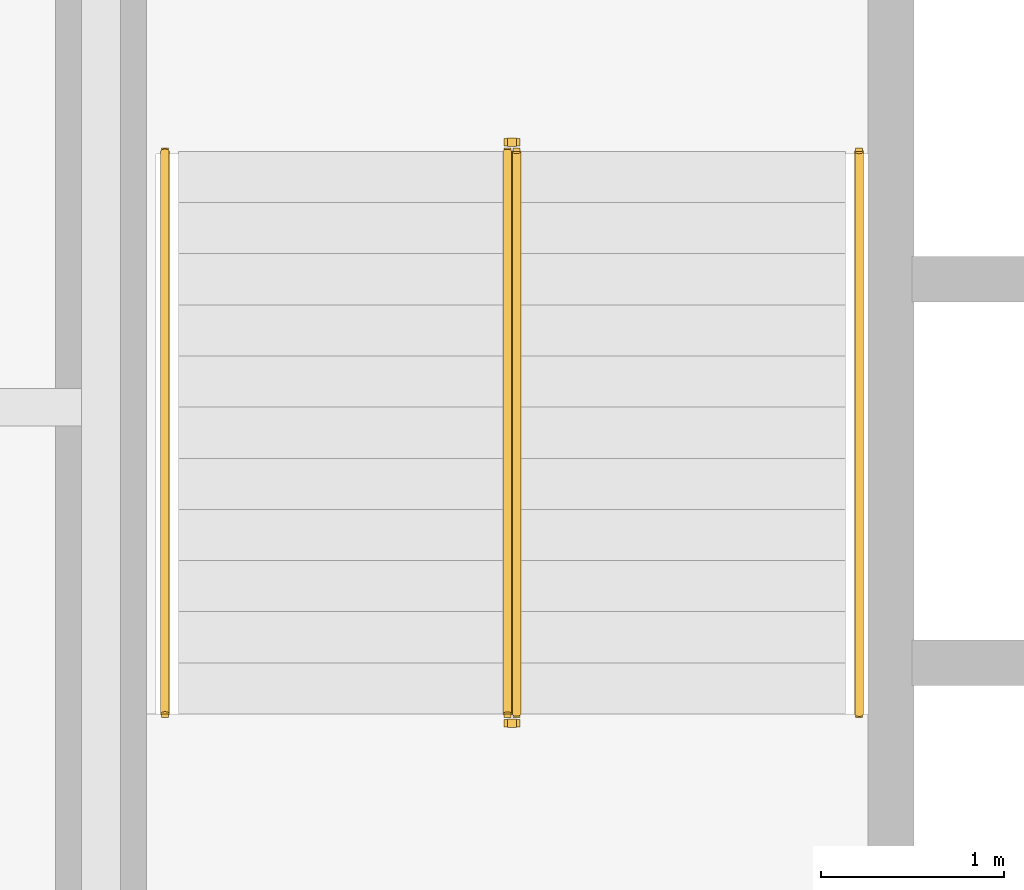
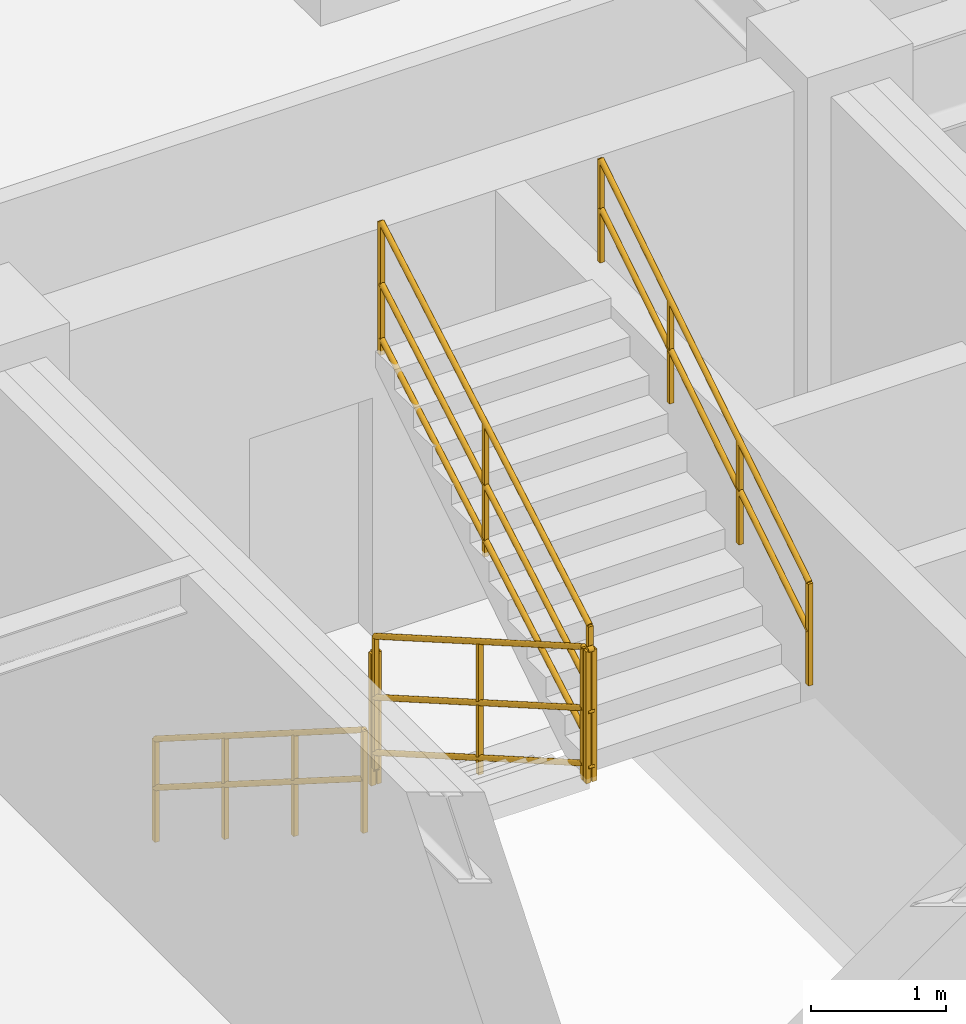
# One storey, part 11 of 11: 6 railings.
"""IFC4 building model written with IfcOpenShell, lengths in metres."""

import ifcopenshell
import ifcopenshell.guid

model = None  # the IFC model being written
_history = None  # IfcOwnerHistory: only IFC2X3 demands one
_inside = {}  # id of a spatial element -> (the spatial element, [elements in it])
_under = {}  # id of a project, library or spatial element -> (it, [spatial elements below it])
_declared = {}  # id of a project -> (the project, [libraries it declares])
_typed = {}  # id of a type object -> (the type object, [elements of that type])
_made_of = {}  # id of a material, layer set ... -> (it, [elements and type objects made of it])


def new_model(schema):
    """Start an empty IFC model of exactly this schema.

    Asked for "IFC4X3", IfcOpenShell would pick the latest addendum, in which some entities
    have other attributes; the version numbers below select the first issue.
    IFC2X3 requires an IfcOwnerHistory on every rooted entity: one is made here for all.
    """
    global model, _history
    if schema == "IFC4X3":
        model = ifcopenshell.file(schema_version=(4, 3, 0, 0))
    else:
        model = ifcopenshell.file(schema=schema)
    _inside.clear()
    _under.clear()
    _declared.clear()
    _typed.clear()
    _made_of.clear()
    _history = None
    if model.schema == "IFC2X3":
        org = make("IfcOrganization", Name="unknown")
        user = make(
            "IfcPersonAndOrganization",
            ThePerson=make("IfcPerson", FamilyName="unknown"),
            TheOrganization=org,
        )
        app = make(
            "IfcApplication",
            ApplicationDeveloper=org,
            Version="unknown",
            ApplicationFullName="unknown",
            ApplicationIdentifier="unknown",
        )
        _history = make(
            "IfcOwnerHistory",
            OwningUser=user,
            OwningApplication=app,
            ChangeAction="ADDED",
            CreationDate=0,
        )
    return model


def make(cls, **values):
    """One entity of the class cls with the attributes given. An attribute that is None is left unset."""
    return model.create_entity(
        cls, **{name: value for name, value in values.items() if value is not None}
    )


def entity(cls, *values):
    """Any entity or typed value of the class cls, its attributes in the order of the schema. None: left unset."""
    e = model.create_entity(cls)
    for i, value in enumerate(values):
        if value is not None:
            e[i] = value
    return e


def rooted(cls, **values):
    """An entity with a GlobalId (a new one), such as an element, a storey or a relation."""
    return make(cls, GlobalId=ifcopenshell.guid.new(), OwnerHistory=_history, **values)


def si_unit(unit_type, name, prefix=None):
    """IfcSIUnit, for example si_unit("LENGTHUNIT", "METRE", prefix="MILLI")."""
    return make("IfcSIUnit", UnitType=unit_type, Prefix=prefix, Name=name)


def converted_unit(unit_type, name, factor, base, dimensions=None, offset=None):
    """IfcConversionBasedUnit, such as the inch: factor (a typed value) times the base unit."""
    return make(
        "IfcConversionBasedUnit"
        if offset is None
        else "IfcConversionBasedUnitWithOffset",
        ConversionOffset=offset,
        Dimensions=None
        if dimensions is None
        else entity("IfcDimensionalExponents", *dimensions),
        UnitType=unit_type,
        Name=name,
        ConversionFactor=make(
            "IfcMeasureWithUnit", ValueComponent=factor, UnitComponent=base
        ),
    )


def assignment(units):
    """IfcUnitAssignment: the units of a project."""
    return None if units is None else make("IfcUnitAssignment", Units=units)


def point(xyz):
    """IfcCartesianPoint."""
    return None if xyz is None else make("IfcCartesianPoint", Coordinates=xyz)


def direction(xyz):
    """IfcDirection."""
    return None if xyz is None else make("IfcDirection", DirectionRatios=xyz)


def frame(location, z_axis=None, x_axis=None):
    """IfcAxis2Placement3D, a coordinate frame: its origin and axes. An axis left out is left unset."""
    return make(
        "IfcAxis2Placement3D",
        Location=point(location),
        Axis=direction(z_axis),
        RefDirection=direction(x_axis),
    )


def frame_2d(location, x_axis=None):
    """IfcAxis2Placement2D, a coordinate frame in the plane: its origin and x axis."""
    return make(
        "IfcAxis2Placement2D", Location=point(location), RefDirection=direction(x_axis)
    )


def origin_with_axes():
    """The frame at (0, 0, 0) with the z axis (0, 0, 1) and the x axis (1, 0, 0) written out."""
    return frame((0.0, 0.0, 0.0), z_axis=(0.0, 0.0, 1.0), x_axis=(1.0, 0.0, 0.0))


def origin_2d_with_axis():
    """The frame at (0, 0) in the plane with the x axis (1, 0) written out."""
    return frame_2d((0.0, 0.0), x_axis=(1.0, 0.0))


def place(relative_to, where):
    """IfcLocalPlacement: puts the frame where relative to a parent placement (None: the world)."""
    return make(
        "IfcLocalPlacement", PlacementRelTo=relative_to, RelativePlacement=where
    )


def context(
    kind, dimensions, precision=None, world=None, true_north=None, identifier=None
):
    """IfcGeometricRepresentationContext, for example the 3D "Model" context."""
    return make(
        "IfcGeometricRepresentationContext",
        ContextIdentifier=identifier,
        ContextType=kind,
        CoordinateSpaceDimension=dimensions,
        Precision=precision,
        WorldCoordinateSystem=world,
        TrueNorth=true_north,
    )


def subcontext(parent, identifier, kind, view, scale=None):
    """IfcGeometricRepresentationSubContext, for example "Body" below "Model"."""
    return make(
        "IfcGeometricRepresentationSubContext",
        ContextIdentifier=identifier,
        ContextType=kind,
        ParentContext=parent,
        TargetScale=scale,
        TargetView=view,
    )


def project(units=None, contexts=None):
    """IfcProject with its units and contexts."""
    return rooted(
        "IfcProject",
        Name="project",
        RepresentationContexts=contexts,
        UnitsInContext=assignment(units),
    )


def spatial(cls, under=None, at=None, **own):
    """A site, building, storey or space (cls), placed at a placement, below another one or the project."""
    s = rooted(cls, ObjectPlacement=at, **own)
    if under is not None:
        _under.setdefault(under.id(), (under, []))[1].append(s)
    return s


def profile(cls, at=None, kind="AREA", **sizes):
    """A parametric profile (cls). Its sizes go by their IFC names, for example OverallWidth=200.0."""
    return make(cls, ProfileType=kind, Position=at, **sizes)


def rectangle(**sizes):
    """IfcRectangleProfileDef."""
    return profile("IfcRectangleProfileDef", **sizes)


def circle(**sizes):
    """IfcCircleProfileDef."""
    return profile("IfcCircleProfileDef", **sizes)


def extrude(swept, where, along, depth):
    """IfcExtrudedAreaSolid: the profile swept, set in the frame where, extruded along a direction by depth."""
    return make(
        "IfcExtrudedAreaSolid",
        SweptArea=swept,
        Position=where,
        ExtrudedDirection=direction(along),
        Depth=depth,
    )


def shape(context_of_items, identifier, shape_type, items):
    """IfcShapeRepresentation: the items that make up one representation, for example the "Body"."""
    return make(
        "IfcShapeRepresentation",
        ContextOfItems=context_of_items,
        RepresentationIdentifier=identifier,
        RepresentationType=shape_type,
        Items=items,
    )


def material(Name=None, Category=None):
    """IfcMaterial."""
    return make("IfcMaterial", Name=Name, Category=Category)


def made_of(thing, what):
    """Note that an element or type object is made of a material, layer set ...; save() writes the relation."""
    if what is not None:
        _made_of.setdefault(what.id(), (what, []))[1].append(thing)
    return thing


def type_object(cls, material=None, **own):
    """A type object (cls), such as IfcWallType, which elements share."""
    return made_of(rooted(cls, **own), material)


def element(
    cls,
    number,
    at=None,
    inside=None,
    cuts=None,
    type_object=None,
    material=None,
    context=None,
    identifier="Body",
    shape_type=None,
    held_by="IfcProductDefinitionShape",
    body=None,
    shapes=None,
    **own,
):
    """One element of the class cls, such as IfcWall. Its Tag is "e" and its number.

    at: its placement. inside: the storey or other place that contains it. cuts: it is an
    opening in that element (IfcRelVoidsElement). A single representation is given by context,
    identifier, shape_type and body (its items); several are given by shapes. held_by: the class
    of the entity that holds the representations. save() writes the other relations.
    """
    e = rooted(cls, Tag="e%d" % number, ObjectPlacement=at, **own)
    if body is not None:
        shapes = [shape(context, identifier, shape_type, body)]
    if shapes is not None:
        e.Representation = make(held_by, Representations=shapes)
    if inside is not None:
        _inside.setdefault(inside.id(), (inside, []))[1].append(e)
    if cuts is not None:
        rooted(
            "IfcRelVoidsElement", RelatingBuildingElement=cuts, RelatedOpeningElement=e
        )
    if type_object is not None:
        _typed.setdefault(type_object.id(), (type_object, []))[1].append(e)
    return made_of(e, material)


def aggregate(whole, parts):
    """IfcRelAggregates: a whole, such as a stair, and the parts it consists of."""
    return rooted("IfcRelAggregates", RelatingObject=whole, RelatedObjects=parts)


def save(model, path):
    """Write the relations noted so far, then the file.

    IfcRelAggregates (storeys below a building ...), IfcRelContainedInSpatialStructure (elements
    in a storey), IfcRelDefinesByType, IfcRelAssociatesMaterial and IfcRelDeclares: one each for
    every whole, place, type object, material and project.
    """
    for whole, parts in _under.values():
        aggregate(whole, parts)
    for where, things in _inside.values():
        rooted(
            "IfcRelContainedInSpatialStructure",
            RelatedElements=things,
            RelatingStructure=where,
        )
    for kind, things in _typed.values():
        rooted("IfcRelDefinesByType", RelatedObjects=things, RelatingType=kind)
    for what, things in _made_of.values():
        rooted("IfcRelAssociatesMaterial", RelatedObjects=things, RelatingMaterial=what)
    for by, libraries in _declared.values():
        rooted("IfcRelDeclares", RelatingContext=by, RelatedDefinitions=libraries)
    model.write(path)


model = new_model("IFC4")

# Units and contexts
model_context = context("Model", 3, precision=1e-05, world=origin_with_axes(), true_north=direction((0.0, 1.0)))
body_context = subcontext(model_context, "Body", "Model", "MODEL_VIEW")
ifc_project = project(units=[si_unit("LENGTHUNIT", "METRE"), si_unit("AREAUNIT", "SQUARE_METRE"), si_unit("VOLUMEUNIT", "CUBIC_METRE"), converted_unit("PLANEANGLEUNIT", "DEGREE", entity("IfcPlaneAngleMeasure", 0.017453292519943295), si_unit("PLANEANGLEUNIT", "RADIAN"), dimensions=[0, 0, 0, 0, 0, 0, 0]), si_unit("MASSUNIT", "GRAM", prefix="KILO"), si_unit("THERMODYNAMICTEMPERATUREUNIT", "KELVIN")], contexts=[model_context])

# Site, building, storey
site_placement = place(None, origin_with_axes())
site = spatial("IfcSite", under=ifc_project, at=site_placement, CompositionType="ELEMENT")
building_placement = place(site_placement, origin_with_axes())
building = spatial("IfcBuilding", under=site, at=building_placement, Name="Varnlund Millrace Tower", CompositionType="ELEMENT")
storey_placement = place(building_placement, frame((0.0, 0.0, 212.1), z_axis=(0.0, 0.0, 1.0), x_axis=(1.0, 0.0, 0.0)))
storey = spatial("IfcBuildingStorey", under=building, at=storey_placement, Name="L52", CompositionType="ELEMENT", Elevation=212.1)

# Railings
ifc_material_1 = material(Name="Painted steel stair well balustrade guard", Category="steel")
railing_type_1 = type_object("IfcRailingType", Name="Type-StairGuard-1150", PredefinedType="GUARDRAIL", material=ifc_material_1)
railing_1_placement = place(storey_placement, frame((0.0, 0.0, -212.1), z_axis=(0.0, 0.0, 1.0), x_axis=(1.0, 0.0, 0.0)))
element("IfcRailing", 1, at=railing_1_placement, inside=storey, type_object=railing_type_1, Name="Type-StairGuard-1150", PredefinedType="GUARDRAIL", context=body_context, shape_type="SweptSolid", body=[
    extrude(circle(Radius=0.024, at=origin_2d_with_axis()), frame((13.625, 35.9, 213.427273), z_axis=(0.0, -0.866696, 0.498836), x_axis=(1.0, 0.0, 0.0)), (0.0, 0.0, 1.0), 3.553725),
    extrude(circle(Radius=0.024, at=origin_2d_with_axis()), frame((13.625, 35.9, 212.377273), z_axis=(0.0, -0.866696, 0.498836), x_axis=(1.0, 0.0, 0.0)), (0.0, 0.0, 1.0), 3.553725),
    extrude(circle(Radius=0.024, at=origin_2d_with_axis()), frame((13.625, 35.9, 212.875273), z_axis=(0.0, -0.866696, 0.498836), x_axis=(1.0, 0.0, 0.0)), (0.0, 0.0, 1.0), 3.553725),
    extrude(rectangle(XDim=0.04, YDim=0.04, at=origin_2d_with_axis()), frame((13.625, 35.9, 212.237273), z_axis=(0.0, 0.0, 1.0), x_axis=(1.0, 0.0, 0.0)), (0.0, 0.0, 1.0), 1.19),
    extrude(rectangle(XDim=0.04, YDim=0.04, at=origin_2d_with_axis()), frame((13.625, 34.36, 213.123636), z_axis=(0.0, 0.0, 1.0), x_axis=(1.0, 0.0, 0.0)), (0.0, 0.0, 1.0), 1.19),
    extrude(rectangle(XDim=0.04, YDim=0.04, at=origin_2d_with_axis()), frame((13.625, 32.82, 214.01), z_axis=(0.0, 0.0, 1.0), x_axis=(1.0, 0.0, 0.0)), (0.0, 0.0, 1.0), 1.19),
])
railing_2_placement = place(storey_placement, frame((0.0, 0.0, -212.1), z_axis=(0.0, 0.0, 1.0), x_axis=(1.0, 0.0, 0.0)))
element("IfcRailing", 2, at=railing_2_placement, inside=storey, type_object=railing_type_1, Name="Type-StairGuard-1150", PredefinedType="GUARDRAIL", context=body_context, shape_type="SweptSolid", body=[
    extrude(circle(Radius=0.024, at=origin_2d_with_axis()), frame((13.675, 32.77, 215.2), z_axis=(-1.0, 0.0, 0.0), x_axis=(0.0, -1.0, 0.0)), (0.0, 0.0, 1.0), 0.05),
    extrude(circle(Radius=0.024, at=origin_2d_with_axis()), frame((13.675, 32.77, 214.15), z_axis=(-1.0, 0.0, 0.0), x_axis=(0.0, -1.0, 0.0)), (0.0, 0.0, 1.0), 0.05),
    extrude(circle(Radius=0.024, at=origin_2d_with_axis()), frame((13.675, 32.77, 214.648), z_axis=(-1.0, 0.0, 0.0), x_axis=(0.0, -1.0, 0.0)), (0.0, 0.0, 1.0), 0.05),
    extrude(rectangle(XDim=0.04, YDim=0.04, at=origin_2d_with_axis()), frame((13.675, 32.77, 214.01), z_axis=(0.0, 0.0, 1.0), x_axis=(1.0, 0.0, 0.0)), (0.0, 0.0, 1.0), 1.19),
    extrude(rectangle(XDim=0.04, YDim=0.04, at=origin_2d_with_axis()), frame((13.625, 32.77, 214.01), z_axis=(0.0, 0.0, 1.0), x_axis=(1.0, 0.0, 0.0)), (0.0, 0.0, 1.0), 1.19),
])
railing_3_placement = place(storey_placement, frame((0.0, 0.0, -212.1), z_axis=(0.0, 0.0, 1.0), x_axis=(1.0, 0.0, 0.0)))
element("IfcRailing", 3, at=railing_3_placement, inside=storey, type_object=railing_type_1, Name="Type-StairGuard-1150", PredefinedType="GUARDRAIL", context=body_context, shape_type="SweptSolid", body=[
    extrude(circle(Radius=0.024, at=origin_2d_with_axis()), frame((13.675, 32.82, 215.377273), z_axis=(0.0, 0.866696, 0.498836), x_axis=(-1.0, 0.0, 0.0)), (0.0, 0.0, 1.0), 3.553725),
    extrude(circle(Radius=0.024, at=origin_2d_with_axis()), frame((13.675, 32.82, 214.327273), z_axis=(0.0, 0.866696, 0.498836), x_axis=(-1.0, 0.0, 0.0)), (0.0, 0.0, 1.0), 3.553725),
    extrude(circle(Radius=0.024, at=origin_2d_with_axis()), frame((13.675, 32.82, 214.825273), z_axis=(0.0, 0.866696, 0.498836), x_axis=(-1.0, 0.0, 0.0)), (0.0, 0.0, 1.0), 3.553725),
    extrude(rectangle(XDim=0.04, YDim=0.04, at=origin_2d_with_axis()), frame((13.675, 32.82, 214.187273), z_axis=(0.0, 0.0, 1.0), x_axis=(1.0, 0.0, 0.0)), (0.0, 0.0, 1.0), 1.19),
    extrude(rectangle(XDim=0.04, YDim=0.04, at=origin_2d_with_axis()), frame((13.675, 34.36, 215.073636), z_axis=(0.0, 0.0, 1.0), x_axis=(1.0, 0.0, 0.0)), (0.0, 0.0, 1.0), 1.19),
    extrude(rectangle(XDim=0.04, YDim=0.04, at=origin_2d_with_axis()), frame((13.675, 35.9, 215.96), z_axis=(0.0, 0.0, 1.0), x_axis=(1.0, 0.0, 0.0)), (0.0, 0.0, 1.0), 1.19),
])
railing_4_placement = place(storey_placement, frame((0.0, 0.0, -212.1), z_axis=(0.0, 0.0, 1.0), x_axis=(1.0, 0.0, 0.0)))
element("IfcRailing", 4, at=railing_4_placement, inside=storey, type_object=railing_type_1, Name="Type-StairGuard-1150", PredefinedType="GUARDRAIL", context=body_context, shape_type="SweptSolid", body=[
    extrude(circle(Radius=0.024, at=origin_2d_with_axis()), frame((13.675, 35.95, 213.25), z_axis=(-1.0, 0.0, 0.0), x_axis=(0.0, -1.0, 0.0)), (0.0, 0.0, 1.0), 0.05),
    extrude(circle(Radius=0.024, at=origin_2d_with_axis()), frame((13.675, 35.95, 212.2), z_axis=(-1.0, 0.0, 0.0), x_axis=(0.0, -1.0, 0.0)), (0.0, 0.0, 1.0), 0.05),
    extrude(circle(Radius=0.024, at=origin_2d_with_axis()), frame((13.675, 35.95, 212.698), z_axis=(-1.0, 0.0, 0.0), x_axis=(0.0, -1.0, 0.0)), (0.0, 0.0, 1.0), 0.05),
    extrude(rectangle(XDim=0.04, YDim=0.04, at=origin_2d_with_axis()), frame((13.675, 35.95, 212.06), z_axis=(0.0, 0.0, 1.0), x_axis=(1.0, 0.0, 0.0)), (0.0, 0.0, 1.0), 1.19),
    extrude(rectangle(XDim=0.04, YDim=0.04, at=origin_2d_with_axis()), frame((13.625, 35.95, 212.06), z_axis=(0.0, 0.0, 1.0), x_axis=(1.0, 0.0, 0.0)), (0.0, 0.0, 1.0), 1.19),
])
ifc_material_2 = material(Name="Brushed architectural bronze stair handrail", Category="aluminium")
railing_type_2 = type_object("IfcRailingType", Name="Type-StairHandrail-900", PredefinedType="HANDRAIL", material=ifc_material_2)
railing_5_placement = place(storey_placement, frame((0.0, 0.0, -212.1), z_axis=(0.0, 0.0, 1.0), x_axis=(1.0, 0.0, 0.0)))
element("IfcRailing", 5, at=railing_5_placement, inside=storey, type_object=railing_type_2, Name="Type-StairHandrail-900", PredefinedType="HANDRAIL", context=body_context, shape_type="SweptSolid", body=[
    extrude(circle(Radius=0.024, at=origin_2d_with_axis()), frame((11.75, 35.9, 213.156995), z_axis=(0.0, -0.844902, 0.534922), x_axis=(1.0, 0.0, 0.0)), (0.0, 0.0, 1.0), 3.645394),
    extrude(circle(Radius=0.024, at=origin_2d_with_axis()), frame((11.75, 35.9, 212.717134), z_axis=(0.0, -0.844902, 0.534922), x_axis=(1.0, 0.0, 0.0)), (0.0, 0.0, 1.0), 3.645394),
    extrude(rectangle(XDim=0.04, YDim=0.04, at=origin_2d_with_axis()), frame((11.75, 35.9, 212.237273), z_axis=(0.0, 0.0, 1.0), x_axis=(1.0, 0.0, 0.0)), (0.0, 0.0, 1.0), 0.919722),
    extrude(rectangle(XDim=0.04, YDim=0.04, at=origin_2d_with_axis()), frame((11.75, 34.873333, 212.887273), z_axis=(0.0, 0.0, 1.0), x_axis=(1.0, 0.0, 0.0)), (0.0, 0.0, 1.0), 0.919722),
    extrude(rectangle(XDim=0.04, YDim=0.04, at=origin_2d_with_axis()), frame((11.75, 33.846667, 213.537273), z_axis=(0.0, 0.0, 1.0), x_axis=(1.0, 0.0, 0.0)), (0.0, 0.0, 1.0), 0.919722),
    extrude(rectangle(XDim=0.04, YDim=0.04, at=origin_2d_with_axis()), frame((11.75, 32.82, 214.187273), z_axis=(0.0, 0.0, 1.0), x_axis=(1.0, 0.0, 0.0)), (0.0, 0.0, 1.0), 0.919722),
])
railing_6_placement = place(storey_placement, frame((0.0, 0.0, -212.1), z_axis=(0.0, 0.0, 1.0), x_axis=(1.0, 0.0, 0.0)))
element("IfcRailing", 6, at=railing_6_placement, inside=storey, type_object=railing_type_2, Name="Type-StairHandrail-900", PredefinedType="HANDRAIL", context=body_context, shape_type="SweptSolid", body=[
    extrude(circle(Radius=0.024, at=origin_2d_with_axis()), frame((15.55, 32.82, 215.106995), z_axis=(0.0, 0.844902, 0.534922), x_axis=(-1.0, 0.0, 0.0)), (0.0, 0.0, 1.0), 3.645394),
    extrude(circle(Radius=0.024, at=origin_2d_with_axis()), frame((15.55, 32.82, 214.667134), z_axis=(0.0, 0.844902, 0.534922), x_axis=(-1.0, 0.0, 0.0)), (0.0, 0.0, 1.0), 3.645394),
    extrude(rectangle(XDim=0.04, YDim=0.04, at=origin_2d_with_axis()), frame((15.55, 32.82, 214.187273), z_axis=(0.0, 0.0, 1.0), x_axis=(1.0, 0.0, 0.0)), (0.0, 0.0, 1.0), 0.919722),
    extrude(rectangle(XDim=0.04, YDim=0.04, at=origin_2d_with_axis()), frame((15.55, 33.846667, 214.837273), z_axis=(0.0, 0.0, 1.0), x_axis=(1.0, 0.0, 0.0)), (0.0, 0.0, 1.0), 0.919722),
    extrude(rectangle(XDim=0.04, YDim=0.04, at=origin_2d_with_axis()), frame((15.55, 34.873333, 215.487273), z_axis=(0.0, 0.0, 1.0), x_axis=(1.0, 0.0, 0.0)), (0.0, 0.0, 1.0), 0.919722),
    extrude(rectangle(XDim=0.04, YDim=0.04, at=origin_2d_with_axis()), frame((15.55, 35.9, 216.137273), z_axis=(0.0, 0.0, 1.0), x_axis=(1.0, 0.0, 0.0)), (0.0, 0.0, 1.0), 0.919722),
])

save(model, "model.ifc")
